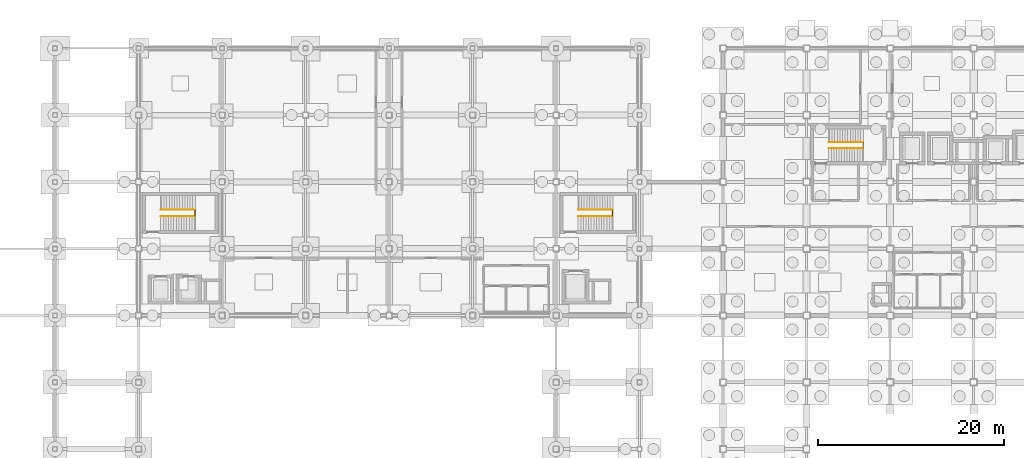
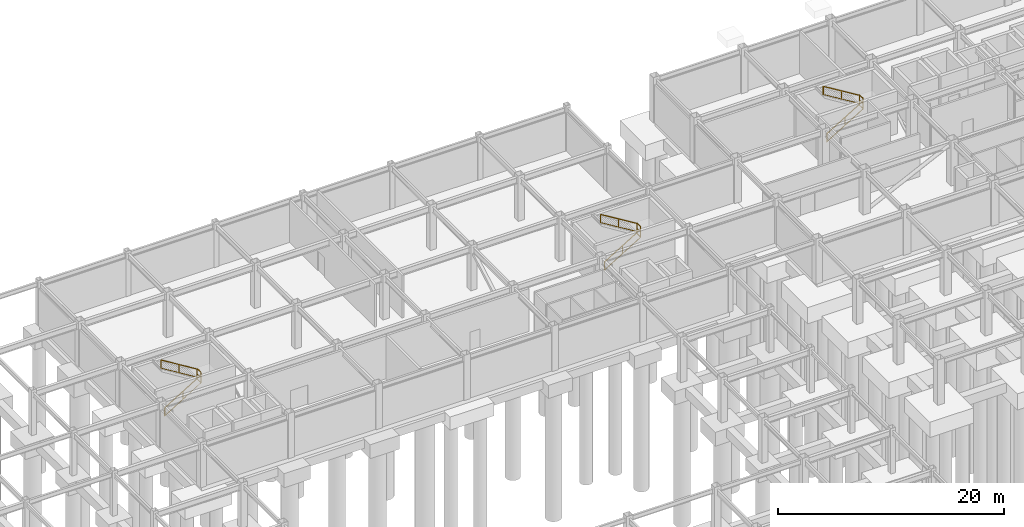
# One storey, part 26 of 28: 9 railings.
"""IFC4 building model written with IfcOpenShell, lengths in metres."""

import ifcopenshell
import ifcopenshell.guid

model = None  # the IFC model being written
_history = None  # IfcOwnerHistory: only IFC2X3 demands one
_inside = {}  # id of a spatial element -> (the spatial element, [elements in it])
_under = {}  # id of a project, library or spatial element -> (it, [spatial elements below it])
_declared = {}  # id of a project -> (the project, [libraries it declares])
_typed = {}  # id of a type object -> (the type object, [elements of that type])
_made_of = {}  # id of a material, layer set ... -> (it, [elements and type objects made of it])


def new_model(schema):
    """Start an empty IFC model of exactly this schema.

    Asked for "IFC4X3", IfcOpenShell would pick the latest addendum, in which some entities
    have other attributes; the version numbers below select the first issue.
    IFC2X3 requires an IfcOwnerHistory on every rooted entity: one is made here for all.
    """
    global model, _history
    if schema == "IFC4X3":
        model = ifcopenshell.file(schema_version=(4, 3, 0, 0))
    else:
        model = ifcopenshell.file(schema=schema)
    _inside.clear()
    _under.clear()
    _declared.clear()
    _typed.clear()
    _made_of.clear()
    _history = None
    if model.schema == "IFC2X3":
        org = make("IfcOrganization", Name="unknown")
        user = make(
            "IfcPersonAndOrganization",
            ThePerson=make("IfcPerson", FamilyName="unknown"),
            TheOrganization=org,
        )
        app = make(
            "IfcApplication",
            ApplicationDeveloper=org,
            Version="unknown",
            ApplicationFullName="unknown",
            ApplicationIdentifier="unknown",
        )
        _history = make(
            "IfcOwnerHistory",
            OwningUser=user,
            OwningApplication=app,
            ChangeAction="ADDED",
            CreationDate=0,
        )
    return model


def make(cls, **values):
    """One entity of the class cls with the attributes given. An attribute that is None is left unset."""
    return model.create_entity(
        cls, **{name: value for name, value in values.items() if value is not None}
    )


def rooted(cls, **values):
    """An entity with a GlobalId (a new one), such as an element, a storey or a relation."""
    return make(cls, GlobalId=ifcopenshell.guid.new(), OwnerHistory=_history, **values)


def si_unit(unit_type, name, prefix=None):
    """IfcSIUnit, for example si_unit("LENGTHUNIT", "METRE", prefix="MILLI")."""
    return make("IfcSIUnit", UnitType=unit_type, Prefix=prefix, Name=name)


def assignment(units):
    """IfcUnitAssignment: the units of a project."""
    return None if units is None else make("IfcUnitAssignment", Units=units)


def point(xyz):
    """IfcCartesianPoint."""
    return None if xyz is None else make("IfcCartesianPoint", Coordinates=xyz)


def direction(xyz):
    """IfcDirection."""
    return None if xyz is None else make("IfcDirection", DirectionRatios=xyz)


def frame(location, z_axis=None, x_axis=None):
    """IfcAxis2Placement3D, a coordinate frame: its origin and axes. An axis left out is left unset."""
    return make(
        "IfcAxis2Placement3D",
        Location=point(location),
        Axis=direction(z_axis),
        RefDirection=direction(x_axis),
    )


def frame_2d(location, x_axis=None):
    """IfcAxis2Placement2D, a coordinate frame in the plane: its origin and x axis."""
    return make(
        "IfcAxis2Placement2D", Location=point(location), RefDirection=direction(x_axis)
    )


def origin():
    """The frame at (0, 0, 0) with its axes left unset."""
    return frame((0.0, 0.0, 0.0))


def origin_2d():
    """The frame at (0, 0) in the plane with its x axis left unset."""
    return frame_2d((0.0, 0.0))


def place(relative_to, where):
    """IfcLocalPlacement: puts the frame where relative to a parent placement (None: the world)."""
    return make(
        "IfcLocalPlacement", PlacementRelTo=relative_to, RelativePlacement=where
    )


def context(
    kind, dimensions, precision=None, world=None, true_north=None, identifier=None
):
    """IfcGeometricRepresentationContext, for example the 3D "Model" context."""
    return make(
        "IfcGeometricRepresentationContext",
        ContextIdentifier=identifier,
        ContextType=kind,
        CoordinateSpaceDimension=dimensions,
        Precision=precision,
        WorldCoordinateSystem=world,
        TrueNorth=true_north,
    )


def subcontext(parent, identifier, kind, view, scale=None):
    """IfcGeometricRepresentationSubContext, for example "Body" below "Model"."""
    return make(
        "IfcGeometricRepresentationSubContext",
        ContextIdentifier=identifier,
        ContextType=kind,
        ParentContext=parent,
        TargetScale=scale,
        TargetView=view,
    )


def project(units=None, contexts=None):
    """IfcProject with its units and contexts."""
    return rooted(
        "IfcProject",
        Name="project",
        RepresentationContexts=contexts,
        UnitsInContext=assignment(units),
    )


def spatial(cls, under=None, at=None, **own):
    """A site, building, storey or space (cls), placed at a placement, below another one or the project."""
    s = rooted(cls, ObjectPlacement=at, **own)
    if under is not None:
        _under.setdefault(under.id(), (under, []))[1].append(s)
    return s


def profile(cls, at=None, kind="AREA", **sizes):
    """A parametric profile (cls). Its sizes go by their IFC names, for example OverallWidth=200.0."""
    return make(cls, ProfileType=kind, Position=at, **sizes)


def rectangle(**sizes):
    """IfcRectangleProfileDef."""
    return profile("IfcRectangleProfileDef", **sizes)


def extrude(swept, where, along, depth):
    """IfcExtrudedAreaSolid: the profile swept, set in the frame where, extruded along a direction by depth."""
    return make(
        "IfcExtrudedAreaSolid",
        SweptArea=swept,
        Position=where,
        ExtrudedDirection=direction(along),
        Depth=depth,
    )


def shape(context_of_items, identifier, shape_type, items):
    """IfcShapeRepresentation: the items that make up one representation, for example the "Body"."""
    return make(
        "IfcShapeRepresentation",
        ContextOfItems=context_of_items,
        RepresentationIdentifier=identifier,
        RepresentationType=shape_type,
        Items=items,
    )


def material(Name=None, Category=None):
    """IfcMaterial."""
    return make("IfcMaterial", Name=Name, Category=Category)


def made_of(thing, what):
    """Note that an element or type object is made of a material, layer set ...; save() writes the relation."""
    if what is not None:
        _made_of.setdefault(what.id(), (what, []))[1].append(thing)
    return thing


def type_object(cls, material=None, **own):
    """A type object (cls), such as IfcWallType, which elements share."""
    return made_of(rooted(cls, **own), material)


def element(
    cls,
    number,
    at=None,
    inside=None,
    cuts=None,
    type_object=None,
    material=None,
    context=None,
    identifier="Body",
    shape_type=None,
    held_by="IfcProductDefinitionShape",
    body=None,
    shapes=None,
    **own,
):
    """One element of the class cls, such as IfcWall. Its Tag is "e" and its number.

    at: its placement. inside: the storey or other place that contains it. cuts: it is an
    opening in that element (IfcRelVoidsElement). A single representation is given by context,
    identifier, shape_type and body (its items); several are given by shapes. held_by: the class
    of the entity that holds the representations. save() writes the other relations.
    """
    e = rooted(cls, Tag="e%d" % number, ObjectPlacement=at, **own)
    if body is not None:
        shapes = [shape(context, identifier, shape_type, body)]
    if shapes is not None:
        e.Representation = make(held_by, Representations=shapes)
    if inside is not None:
        _inside.setdefault(inside.id(), (inside, []))[1].append(e)
    if cuts is not None:
        rooted(
            "IfcRelVoidsElement", RelatingBuildingElement=cuts, RelatedOpeningElement=e
        )
    if type_object is not None:
        _typed.setdefault(type_object.id(), (type_object, []))[1].append(e)
    return made_of(e, material)


def aggregate(whole, parts):
    """IfcRelAggregates: a whole, such as a stair, and the parts it consists of."""
    return rooted("IfcRelAggregates", RelatingObject=whole, RelatedObjects=parts)


def save(model, path):
    """Write the relations noted so far, then the file.

    IfcRelAggregates (storeys below a building ...), IfcRelContainedInSpatialStructure (elements
    in a storey), IfcRelDefinesByType, IfcRelAssociatesMaterial and IfcRelDeclares: one each for
    every whole, place, type object, material and project.
    """
    for whole, parts in _under.values():
        aggregate(whole, parts)
    for where, things in _inside.values():
        rooted(
            "IfcRelContainedInSpatialStructure",
            RelatedElements=things,
            RelatingStructure=where,
        )
    for kind, things in _typed.values():
        rooted("IfcRelDefinesByType", RelatedObjects=things, RelatingType=kind)
    for what, things in _made_of.values():
        rooted("IfcRelAssociatesMaterial", RelatedObjects=things, RelatingMaterial=what)
    for by, libraries in _declared.values():
        rooted("IfcRelDeclares", RelatingContext=by, RelatedDefinitions=libraries)
    model.write(path)


model = new_model("IFC4")

# Units and contexts
model_context = context("Model", 3, precision=1e-05, world=origin(), true_north=direction((0.0, 1.0)))
body_context = subcontext(model_context, "Body", "Model", "MODEL_VIEW")
ifc_project = project(units=[si_unit("LENGTHUNIT", "METRE"), si_unit("AREAUNIT", "SQUARE_METRE"), si_unit("VOLUMEUNIT", "CUBIC_METRE"), si_unit("PLANEANGLEUNIT", "RADIAN"), si_unit("MASSUNIT", "GRAM", prefix="KILO")], contexts=[model_context])

# Site, building, storey
site_placement = place(None, origin())
site = spatial("IfcSite", under=ifc_project, at=site_placement, CompositionType="ELEMENT")
building_placement = place(site_placement, origin())
building = spatial("IfcBuilding", under=site, at=building_placement, Name="Kazanami Central Library", CompositionType="ELEMENT")
storey_placement = place(building_placement, frame((0.0, 0.0, -4.89990234375)))
storey = spatial("IfcBuildingStorey", under=building, at=storey_placement, Name="B01", CompositionType="ELEMENT", Elevation=-4.89990234375)

# Railings
ifc_material = material(Name="Stainless Steel SUS304", Category="steel")
railing_type_1 = type_object("IfcRailingType", Name="RAL-GR-S1", PredefinedType="GUARDRAIL", material=ifc_material)
railing_placement = place(storey_placement, frame((132.10791015625, 82.844970703125, 2.449951171875)))
element("IfcRailing", 1, at=railing_placement, inside=storey, type_object=railing_type_1, Name="Half-Landing Well Guard ST-01 B01", PredefinedType="GUARDRAIL", context=body_context, shape_type="SweptSolid", body=[
    extrude(rectangle(XDim=0.0439453125, YDim=0.0439453125, at=origin_2d()), frame((0.0, 0.02587890625, 1.1279296875), z_axis=(0.0, 1.0, 0.0), x_axis=(-1.0, 0.0, 0.0)), (0.0, 0.0, 1.0), 0.55810546875),
    extrude(rectangle(XDim=0.02392578125, YDim=0.02392578125, at=origin_2d()), frame((0.0, 0.02587890625, 0.015869140625), z_axis=(0.0, 1.0, 0.0), x_axis=(-1.0, 0.0, 0.0)), (0.0, 0.0, 1.0), 0.55810546875),
    extrude(rectangle(XDim=0.02392578125, YDim=0.02392578125, at=origin_2d()), frame((0.0, 0.02587890625, 0.574951171875), z_axis=(0.0, 1.0, 0.0), x_axis=(-1.0, 0.0, 0.0)), (0.0, 0.0, 1.0), 0.55810546875),
    extrude(rectangle(XDim=0.035888671875, YDim=0.035888671875, at=origin_2d()), origin(), (0.0, 0.0, 1.0), 1.10205078125),
    extrude(rectangle(XDim=0.035888671875, YDim=0.035888671875, at=origin_2d()), frame((0.0, 0.610107421875, 0.0)), (0.0, 0.0, 1.0), 1.10205078125),
])
for number, where, name in (
    (2, (60.10791015625, 75.52001953125, 2.449951171875), "Half-Landing Well Guard ST-03 B01"),
    (3, (105.10791015625, 75.52001953125, 2.449951171875), "Half-Landing Well Guard ST-04 B01"),
):
    element("IfcRailing", number, at=place(storey_placement, frame(where)), inside=storey, type_object=railing_type_1, Name=name, PredefinedType="GUARDRAIL", context=body_context, shape_type="SweptSolid", body=[
        extrude(rectangle(XDim=0.0439453125, YDim=0.0439453125, at=origin_2d()), frame((0.0, 0.02587890625, 1.1279296875), z_axis=(0.0, 1.0, 0.0), x_axis=(-1.0, 0.0, 0.0)), (0.0, 0.0, 1.0), 0.60791015625),
        extrude(rectangle(XDim=0.02392578125, YDim=0.02392578125, at=origin_2d()), frame((0.0, 0.02587890625, 0.015869140625), z_axis=(0.0, 1.0, 0.0), x_axis=(-1.0, 0.0, 0.0)), (0.0, 0.0, 1.0), 0.60791015625),
        extrude(rectangle(XDim=0.02392578125, YDim=0.02392578125, at=origin_2d()), frame((0.0, 0.02587890625, 0.574951171875), z_axis=(0.0, 1.0, 0.0), x_axis=(-1.0, 0.0, 0.0)), (0.0, 0.0, 1.0), 0.60791015625),
        extrude(rectangle(XDim=0.035888671875, YDim=0.035888671875, at=origin_2d()), origin(), (0.0, 0.0, 1.0), 1.10205078125),
        extrude(rectangle(XDim=0.035888671875, YDim=0.035888671875, at=origin_2d()), frame((0.0, 0.659912109375, 0.0)), (0.0, 0.0, 1.0), 1.10205078125),
    ])
railing_type_2 = type_object("IfcRailingType", Name="RAL-HR-01", PredefinedType="HANDRAIL", material=ifc_material)
for number, where, name in (
    (4, (128.39404296875, 82.824951171875, 0.1748046875), "Stair Handrail ST-01 Flight 1 (B01)"),
    (5, (56.39404296875, 75.5, 0.1748046875), "Stair Handrail ST-03 Flight 1 (B01)"),
    (6, (101.39404296875, 75.5, 0.1748046875), "Stair Handrail ST-04 Flight 1 (B01)"),
):
    element("IfcRailing", number, at=place(storey_placement, frame(where)), inside=storey, type_object=railing_type_2, Name=name, PredefinedType="HANDRAIL", context=body_context, shape_type="SweptSolid", body=[
        extrude(rectangle(XDim=0.0439453125, YDim=0.0439453125, at=origin_2d()), frame((0.022216796875, 0.0, 0.8916015625), z_axis=(0.852713216227, 0.0, 0.522379336183), x_axis=(0.0, 1.0, 0.0)), (0.0, 0.0, 1.0), 4.303466796875),
        extrude(rectangle(XDim=0.02392578125, YDim=0.02392578125, at=origin_2d()), frame((0.022216796875, 0.0, 0.029541015625), z_axis=(0.852713216227, 0.0, 0.522379336183), x_axis=(0.0, 1.0, 0.0)), (0.0, 0.0, 1.0), 4.303466796875),
        extrude(rectangle(XDim=0.035888671875, YDim=0.035888671875, at=origin_2d()), origin(), (0.0, 0.0, 1.0), 0.85205078125),
        extrude(rectangle(XDim=0.035888671875, YDim=0.035888671875, at=origin_2d()), frame((1.85693359375, 0.0, 1.1376953125)), (0.0, 0.0, 1.0), 0.85205078125),
        extrude(rectangle(XDim=0.035888671875, YDim=0.035888671875, at=origin_2d()), frame((3.7138671875, 0.0, 2.275146484375)), (0.0, 0.0, 1.0), 0.85205078125),
    ])
railing_type_3 = type_object("IfcRailingType", Name="RAL-HR-02", PredefinedType="HANDRAIL", material=ifc_material)
for number, where, name in (
    (7, (132.114013671875, 83.47509765625, 2.625), "Stair Handrail ST-01 Flight 2 (B01)"),
    (8, (60.114013671875, 76.199951171875, 2.625), "Stair Handrail ST-03 Flight 2 (B01)"),
    (9, (105.114013671875, 76.199951171875, 2.625), "Stair Handrail ST-04 Flight 2 (B01)"),
):
    element("IfcRailing", number, at=place(storey_placement, frame(where)), inside=storey, type_object=railing_type_3, Name=name, PredefinedType="HANDRAIL", context=body_context, shape_type="SweptSolid", body=[
        extrude(rectangle(XDim=0.0439453125, YDim=0.0439453125, at=origin_2d()), frame((-0.022216796875, 0.0, 0.91162109375), z_axis=(-0.852753478588, 0.0, 0.52231360767), x_axis=(0.0, -1.0, 0.0)), (0.0, 0.0, 1.0), 4.303466796875),
        extrude(rectangle(XDim=0.02392578125, YDim=0.02392578125, at=origin_2d()), frame((-0.022216796875, 0.0, 0.029541015625), z_axis=(-0.852753478588, 0.0, 0.52231360767), x_axis=(0.0, -1.0, 0.0)), (0.0, 0.0, 1.0), 4.303466796875),
        extrude(rectangle(XDim=0.035888671875, YDim=0.035888671875, at=origin_2d()), origin(), (0.0, 0.0, 1.0), 0.8720703125),
        extrude(rectangle(XDim=0.035888671875, YDim=0.035888671875, at=origin_2d()), frame((-1.85693359375, 0.0, 1.137451171875)), (0.0, 0.0, 1.0), 0.8720703125),
        extrude(rectangle(XDim=0.035888671875, YDim=0.035888671875, at=origin_2d()), frame((-3.714111328125, 0.0, 2.27490234375)), (0.0, 0.0, 1.0), 0.8720703125),
    ])

save(model, "model.ifc")
